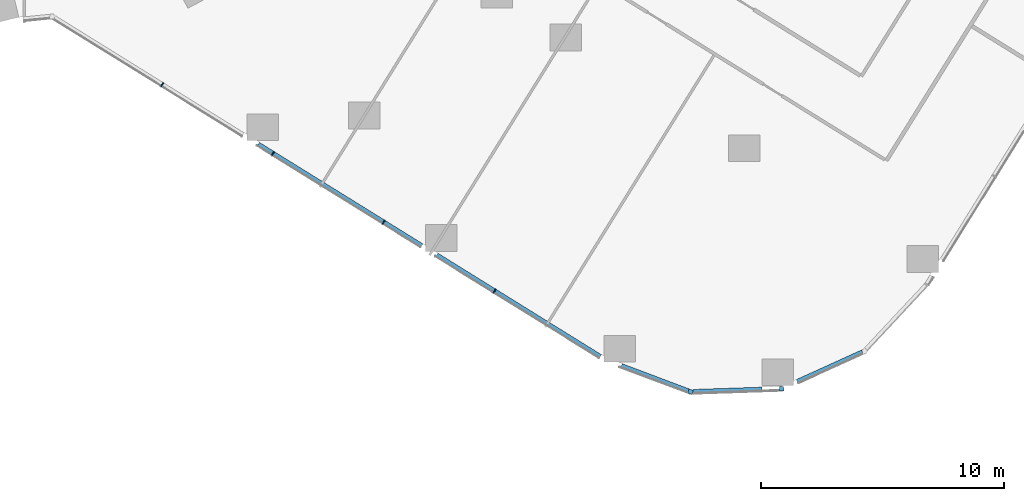
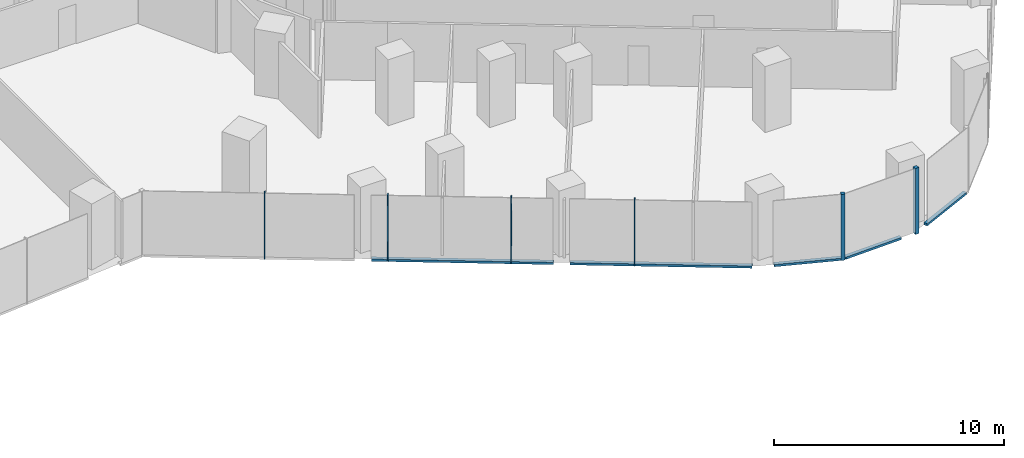
# One storey, part 7 of 34: 11 members, 4 elements without a shape of their own.
"""IFC4 building model written with IfcOpenShell, lengths in metres."""

from ifc_helpers import new_model, si_unit, direction, frame, origin, origin_2d, place, context, subcontext, project, spatial, rectangle, extrude, material, material_profile, profile_set, type_object, element, aggregate, save


model = new_model("IFC4")

# Units and contexts
model_context = context("Model", 3, precision=1e-05, world=origin(), true_north=direction((0.0, 1.0)))
body_context = subcontext(model_context, "Body", "Model", "MODEL_VIEW")
ifc_project = project(units=[si_unit("LENGTHUNIT", "METRE"), si_unit("AREAUNIT", "SQUARE_METRE"), si_unit("VOLUMEUNIT", "CUBIC_METRE"), si_unit("PLANEANGLEUNIT", "RADIAN"), si_unit("MASSUNIT", "GRAM", prefix="KILO")], contexts=[model_context])

# Site, building, storey
site_placement = place(None, origin())
site = spatial("IfcSite", under=ifc_project, at=site_placement, CompositionType="ELEMENT")
building_placement = place(site_placement, origin())
building = spatial("IfcBuilding", under=site, at=building_placement, Name="Orlundy Tower", CompositionType="ELEMENT")
storey_placement = place(building_placement, frame((0.0, 0.0, 40.800048828125)))
storey = spatial("IfcBuildingStorey", under=building, at=storey_placement, Name="L08", CompositionType="ELEMENT", Elevation=40.800048828125)

# Curtain wall, member
ifc_material_1 = material(Name="Aluminium bronze anodised", Category="aluminium")
curtain_wall_type = type_object("IfcCurtainWallType", Name="CW1 wall", PredefinedType="NOTDEFINED", material=ifc_material_1)
curtain_wall_1_placement = place(storey_placement, origin())
curtain_wall_1 = element("IfcCurtainWall", 1, at=curtain_wall_1_placement, inside=storey, type_object=curtain_wall_type, Name="CW1 run 014", PredefinedType="NOTDEFINED")
ifc_material_2 = material(Name="Aluminium bronze anodised", Category="aluminium")
ifc_material_profile_1 = material_profile(ifc_material_2, rectangle(XDim=0.179931640625, YDim=0.179931640625, at=origin_2d()), Name="CW1 corner post 180x180")
ifc_profile_set_1 = profile_set([ifc_material_profile_1], Name="Aluminium bronze anodised")
member_type_1 = type_object("IfcMemberType", Name="CW1 corner post 180x180", PredefinedType="MULLION", material=ifc_profile_set_1)
member_1_placement = place(storey_placement, frame((39.1259765625, -44.63232421875, -0.420166015625), z_axis=(0.0, 0.0, 1.0), x_axis=(0.033449557474, -0.99944040698, 0.0)))
member_1 = element("IfcMember", 2, at=member_1_placement, type_object=member_type_1, Name="CW1 mullion 42", PredefinedType="MULLION", context=body_context, shape_type="SweptSolid", body=[
    extrude(rectangle(XDim=0.179931640625, YDim=0.179931640625, at=origin_2d()), origin(), (0.0, 0.0, 1.0), 3.5),
])

curtain_wall_2_placement = place(storey_placement, origin())
curtain_wall_2 = element("IfcCurtainWall", 3, at=curtain_wall_2_placement, inside=storey, type_object=curtain_wall_type, Name="CW1 run 015", PredefinedType="NOTDEFINED")
member_2_placement = place(storey_placement, frame((35.385009765625, -44.757568359375, -0.420166015625), z_axis=(0.0, 0.0, 1.0), x_axis=(-0.351537332791, -0.936173864009, 0.0)))
member_2 = element("IfcMember", 4, at=member_2_placement, type_object=member_type_1, Name="CW1 mullion 43", PredefinedType="MULLION", context=body_context, shape_type="SweptSolid", body=[
    extrude(rectangle(XDim=0.179931640625, YDim=0.179931640625, at=origin_2d()), origin(), (0.0, 0.0, 1.0), 3.5),
])

# Curtain wall, members
curtain_wall_3_placement = place(storey_placement, origin())
curtain_wall_3 = element("IfcCurtainWall", 5, at=curtain_wall_3_placement, inside=storey, type_object=curtain_wall_type, Name="CW1 run 016", PredefinedType="NOTDEFINED")
ifc_material_3 = material(Name="Aluminium bronze anodised", Category="aluminium")
ifc_material_profile_2 = material_profile(ifc_material_3, rectangle(XDim=0.179931640625, YDim=0.050048828125, at=origin_2d()), Name="CW1 mullion 50x180")
ifc_profile_set_2 = profile_set([ifc_material_profile_2], Name="Aluminium bronze anodised")
member_type_2 = type_object("IfcMemberType", Name="CW1 mullion 50x180", PredefinedType="MULLION", material=ifc_profile_set_2)
member_3_placement = place(storey_placement, frame((27.33154296875, -40.614990234375, -0.420166015625), z_axis=(0.0, 0.0, 1.0), x_axis=(-0.52744929328, -0.849586512969, 0.0)))
member_3 = element("IfcMember", 6, at=member_3_placement, type_object=member_type_2, Name="CW1 mullion 45", PredefinedType="MULLION", context=body_context, shape_type="SweptSolid", body=[
    extrude(rectangle(XDim=0.179931640625, YDim=0.050048828125, at=origin_2d()), origin(), (0.0, 0.0, 1.0), 3.5),
])
member_4_placement = place(storey_placement, frame((22.780517578125, -37.78955078125, -0.420166015625), z_axis=(0.0, 0.0, 1.0), x_axis=(-0.52744929328, -0.849586512969, 0.0)))
member_4 = element("IfcMember", 7, at=member_4_placement, type_object=member_type_2, Name="CW1 mullion 46", PredefinedType="MULLION", context=body_context, shape_type="SweptSolid", body=[
    extrude(rectangle(XDim=0.179931640625, YDim=0.050048828125, at=origin_2d()), origin(), (0.0, 0.0, 1.0), 3.5),
])
member_5_placement = place(storey_placement, frame((18.2294921875, -34.96435546875, -0.420166015625), z_axis=(0.0, 0.0, 1.0), x_axis=(-0.52744929328, -0.849586512969, 0.0)))
member_5 = element("IfcMember", 8, at=member_5_placement, type_object=member_type_2, Name="CW1 mullion 47", PredefinedType="MULLION", context=body_context, shape_type="SweptSolid", body=[
    extrude(rectangle(XDim=0.179931640625, YDim=0.050048828125, at=origin_2d()), origin(), (0.0, 0.0, 1.0), 3.5),
])
member_6_placement = place(storey_placement, frame((13.678466796875, -32.138916015625, -0.420166015625), z_axis=(0.0, 0.0, 1.0), x_axis=(-0.52744929328, -0.849586512969, 0.0)))
member_6 = element("IfcMember", 9, at=member_6_placement, type_object=member_type_2, Name="CW1 mullion 48", PredefinedType="MULLION", context=body_context, shape_type="SweptSolid", body=[
    extrude(rectangle(XDim=0.179931640625, YDim=0.050048828125, at=origin_2d()), origin(), (0.0, 0.0, 1.0), 3.5),
])

# Curtain wall, member
curtain_wall_4_placement = place(storey_placement, origin())
curtain_wall_4 = element("IfcCurtainWall", 10, at=curtain_wall_4_placement, inside=storey, type_object=curtain_wall_type, Name="CW1 run 013", PredefinedType="NOTDEFINED")
ifc_material_4 = material(Name="Aluminium bronze anodised", Category="aluminium")
ifc_material_profile_3 = material_profile(ifc_material_4, rectangle(XDim=0.179931640625, YDim=0.1201171875, at=origin_2d()), Name="CW1 transom 180x120")
ifc_profile_set_3 = profile_set([ifc_material_profile_3], Name="Aluminium bronze anodised")
member_type_3 = type_object("IfcMemberType", Name="CW1 transom 180x120", PredefinedType="USERDEFINED", material=ifc_profile_set_3)
member_7_placement = place(storey_placement, frame((42.45166015625, -43.122802734375, -0.360107421875), z_axis=(-0.910596137733, -0.413297319064, 0.0), x_axis=(0.413297319064, -0.910596137733, 0.0)))
member_7 = element("IfcMember", 11, at=member_7_placement, type_object=member_type_3, Name="CW1 transom", ObjectType="TRANSOM", PredefinedType="USERDEFINED", context=body_context, shape_type="SweptSolid", body=[
    extrude(rectangle(XDim=0.179931640625, YDim=0.1201171875, at=origin_2d()), origin(), (0.0, 0.0, 1.0), 2.947021484375),
])
aggregate(curtain_wall_4, [member_7])

# Member
member_8_placement = place(storey_placement, frame((38.32958984375, -44.658935546875, -0.360107421875), z_axis=(-0.999438420186, -0.033508868315, 0.0), x_axis=(0.033508868315, -0.999438420186, 0.0)))
member_8 = element("IfcMember", 12, at=member_8_placement, type_object=member_type_3, Name="CW1 transom", ObjectType="TRANSOM", PredefinedType="USERDEFINED", context=body_context, shape_type="SweptSolid", body=[
    extrude(rectangle(XDim=0.179931640625, YDim=0.1201171875, at=origin_2d()), origin(), (0.0, 0.0, 1.0), 2.848876953125),
])

aggregate(curtain_wall_1, [member_1, member_8])

member_9_placement = place(storey_placement, frame((35.30078125, -44.725830078125, -0.360107421875), z_axis=(-0.9361721635, 0.35154186136, 0.0), x_axis=(-0.35154186136, -0.9361721635, 0.0)))
member_9 = element("IfcMember", 13, at=member_9_placement, type_object=member_type_3, Name="CW1 transom", ObjectType="TRANSOM", PredefinedType="USERDEFINED", context=body_context, shape_type="SweptSolid", body=[
    extrude(rectangle(XDim=0.179931640625, YDim=0.1201171875, at=origin_2d()), origin(), (0.0, 0.0, 1.0), 2.941162109375),
])

aggregate(curtain_wall_2, [member_2, member_9])

member_10_placement = place(storey_placement, frame((31.675048828125, -43.3115234375, -0.360107421875), z_axis=(-0.849597227848, 0.527432033947, 0.0), x_axis=(-0.527432033947, -0.849597227848, 0.0)))
member_10 = element("IfcMember", 14, at=member_10_placement, type_object=member_type_3, Name="CW1 transom", ObjectType="TRANSOM", PredefinedType="USERDEFINED", context=body_context, shape_type="SweptSolid", body=[
    extrude(rectangle(XDim=0.179931640625, YDim=0.1201171875, at=origin_2d()), origin(), (0.0, 0.0, 1.0), 7.906982421875),
])

member_11_placement = place(storey_placement, frame((24.339111328125, -38.75732421875, -0.360107421875), z_axis=(-0.849575259851, 0.527467418756, 0.0), x_axis=(-0.527467418756, -0.849575259851, 0.0)))
member_11 = element("IfcMember", 15, at=member_11_placement, type_object=member_type_3, Name="CW1 transom", ObjectType="TRANSOM", PredefinedType="USERDEFINED", context=body_context, shape_type="SweptSolid", body=[
    extrude(rectangle(XDim=0.179931640625, YDim=0.1201171875, at=origin_2d()), origin(), (0.0, 0.0, 1.0), 7.904541015625),
])

aggregate(curtain_wall_3, [member_3, member_4, member_5, member_6, member_10, member_11])

save(model, "model.ifc")
